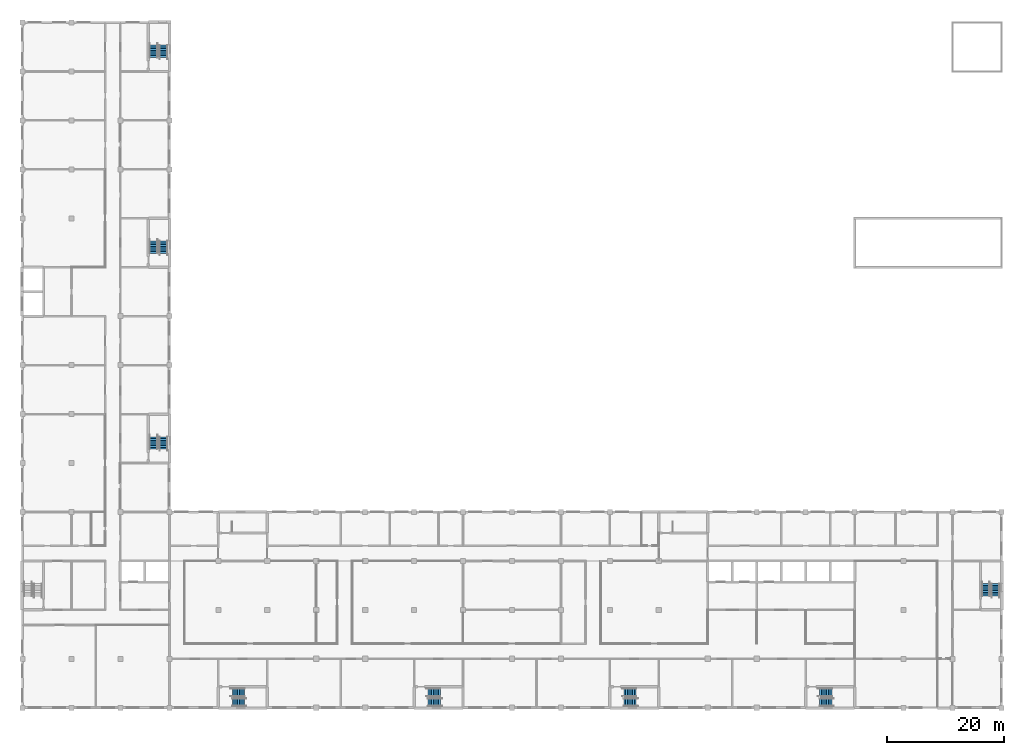
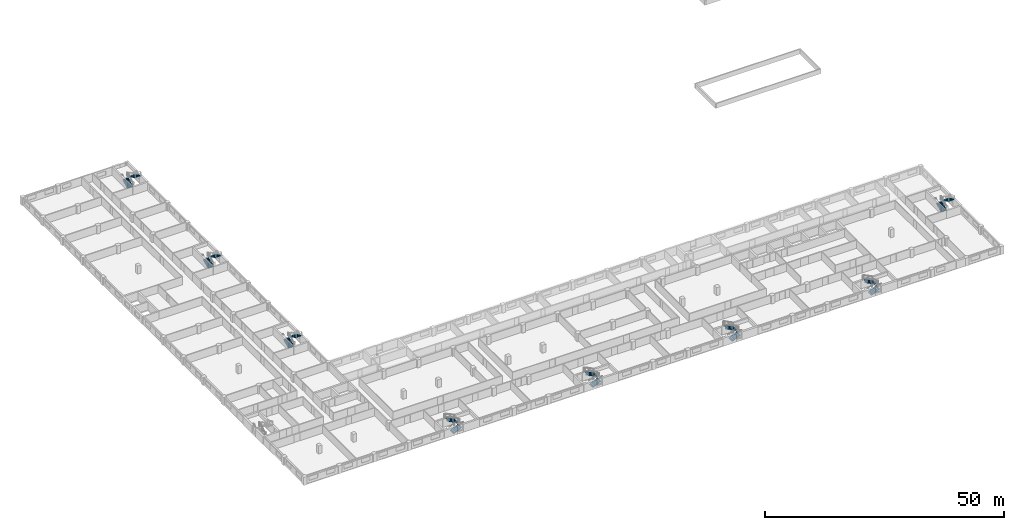
# One storey, part 42 of 48: 16 stair flights, 8 elements without a shape of their own.
"""IFC4 building model written with IfcOpenShell, lengths in metres."""

from ifc_helpers import new_model, si_unit, direction, frame, origin, place, context, subcontext, project, spatial, polyline, outline, extrude, material, type_object, element, aggregate, save


model = new_model("IFC4")

# Units and contexts
model_context = context("Model", 3, precision=1e-05, world=origin(), true_north=direction((0.0, 1.0)))
body_context = subcontext(model_context, "Body", "Model", "MODEL_VIEW")
ifc_project = project(units=[si_unit("LENGTHUNIT", "METRE"), si_unit("AREAUNIT", "SQUARE_METRE"), si_unit("VOLUMEUNIT", "CUBIC_METRE"), si_unit("PLANEANGLEUNIT", "RADIAN"), si_unit("MASSUNIT", "GRAM", prefix="KILO")], contexts=[model_context])

# Site, building, storey
site_placement = place(None, origin())
site = spatial("IfcSite", under=ifc_project, at=site_placement, CompositionType="ELEMENT")
building_placement = place(site_placement, origin())
building = spatial("IfcBuilding", under=site, at=building_placement, Name="Yavir Park General Hospital", CompositionType="ELEMENT")
storey_placement = place(building_placement, frame((0.0, 0.0, 12.89990234375)))
storey = spatial("IfcBuildingStorey", under=building, at=storey_placement, Name="I02", CompositionType="ELEMENT", Elevation=12.89990234375)

# Stair, stair flights
ifc_material_1 = material(Name="Concrete C30/37", Category="concrete")
stair_type = type_object("IfcStairType", Name="Patient escape stair, 16 risers of 150 mm, 1400 mm flights", PredefinedType="HALF_TURN_STAIR", material=ifc_material_1)
stair_1_placement = place(storey_placement, origin())
stair_1 = element("IfcStair", 1, at=stair_1_placement, inside=storey, type_object=stair_type, Name="Stair SU2, I02 to L03", PredefinedType="HALF_TURN_STAIR")
ifc_material_2 = material(Name="Concrete C30/37", Category="concrete")
stair_flight_type = type_object("IfcStairFlightType", Name="Patient escape stair flight, 8 risers, 1400 mm wide", PredefinedType="STRAIGHT", material=ifc_material_2)
stair_flight_1_placement = place(storey_placement, frame((36.0, 0.949951171875, 0.0), z_axis=(0.0, 0.0, 1.0), x_axis=(1.0, 0.0, 0.0)))
stair_flight_1 = element("IfcStairFlight", 2, at=stair_flight_1_placement, type_object=stair_flight_type, Name="SU2 flight 1", NumberOfRisers=8, NumberOfTreads=7, PredefinedType="STRAIGHT", RiserHeight=0.15, TreadLength=0.3, context=body_context, shape_type="SweptSolid", body=[
    extrude(outline(polyline([(0.0, 0.0), (0.0, 0.021484375), (0.0, 0.04296875), (0.0, 0.064208984375), (0.0, 0.085693359375), (0.0, 0.107177734375), (0.0, 0.128662109375), (0.0, 0.14990234375), (0.300048828125, 0.14990234375), (0.300048828125, 0.300048828125), (0.60009765625, 0.300048828125), (0.60009765625, 0.449951171875), (0.89990234375, 0.449951171875), (0.89990234375, 0.60009765625), (1.199951171875, 0.60009765625), (1.199951171875, 0.75), (1.5, 0.75), (1.5, 0.89990234375), (1.800048828125, 0.89990234375), (1.800048828125, 1.050048828125), (2.10009765625, 1.050048828125), (2.10009765625, 1.199951171875), (2.10009765625, 1.153076171875), (2.10009765625, 1.10595703125), (2.10009765625, 1.05908203125), (2.10009765625, 1.01220703125), (2.10009765625, 0.965087890625), (2.10009765625, 0.918212890625), (2.10009765625, 0.87109375), (0.357666015625, 0.0), (0.0, 0.0)])), frame((0.0, 0.699951171875, 0.0), z_axis=(0.0, -1.0, 0.0), x_axis=(1.0, 0.0, 0.0)), (0.0, 0.0, 1.0), 1.39990234375),
])
stair_flight_2_placement = place(storey_placement, frame((38.10009765625, 2.64990234375, 1.2001953125), z_axis=(0.0, 0.0, 1.0), x_axis=(-1.0, 0.0, 0.0)))
stair_flight_2 = element("IfcStairFlight", 3, at=stair_flight_2_placement, type_object=stair_flight_type, Name="SU2 flight 2", NumberOfRisers=8, NumberOfTreads=7, PredefinedType="STRAIGHT", RiserHeight=0.15, TreadLength=0.3, context=body_context, shape_type="SweptSolid", body=[
    extrude(outline(polyline([(0.0, 0.0), (0.0, 0.021484375), (0.0, 0.04296875), (0.0, 0.064208984375), (0.0, 0.085693359375), (0.0, 0.107177734375), (0.0, 0.128662109375), (0.0, 0.14990234375), (0.300048828125, 0.14990234375), (0.300048828125, 0.300048828125), (0.60009765625, 0.300048828125), (0.60009765625, 0.449951171875), (0.89990234375, 0.449951171875), (0.89990234375, 0.60009765625), (1.199951171875, 0.60009765625), (1.199951171875, 0.75), (1.5, 0.75), (1.5, 0.89990234375), (1.800048828125, 0.89990234375), (1.800048828125, 1.050048828125), (2.10009765625, 1.050048828125), (2.10009765625, 1.199951171875), (2.10009765625, 1.153076171875), (2.10009765625, 1.10595703125), (2.10009765625, 1.05908203125), (2.10009765625, 1.01220703125), (2.10009765625, 0.965087890625), (2.10009765625, 0.918212890625), (2.10009765625, 0.87109375), (0.357666015625, 0.0), (0.0, 0.0)])), frame((0.0, 0.699951171875, 0.0), z_axis=(0.0, -1.0, 0.0), x_axis=(1.0, 0.0, 0.0)), (0.0, 0.0, 1.0), 1.39990234375),
])
aggregate(stair_1, [stair_flight_1, stair_flight_2])

stair_2_placement = place(storey_placement, origin())
stair_2 = element("IfcStair", 4, at=stair_2_placement, inside=storey, type_object=stair_type, Name="Stair SU3, I02 to L03", PredefinedType="HALF_TURN_STAIR")
stair_flight_3_placement = place(storey_placement, frame((69.60009765625, 0.949951171875, 0.0), z_axis=(0.0, 0.0, 1.0), x_axis=(1.0, 0.0, 0.0)))
stair_flight_3 = element("IfcStairFlight", 5, at=stair_flight_3_placement, type_object=stair_flight_type, Name="SU3 flight 1", NumberOfRisers=8, NumberOfTreads=7, PredefinedType="STRAIGHT", RiserHeight=0.15, TreadLength=0.3, context=body_context, shape_type="SweptSolid", body=[
    extrude(outline(polyline([(0.0, 0.0), (0.0, 0.021484375), (0.0, 0.04296875), (0.0, 0.064208984375), (0.0, 0.085693359375), (0.0, 0.107177734375), (0.0, 0.128662109375), (0.0, 0.14990234375), (0.300048828125, 0.14990234375), (0.300048828125, 0.300048828125), (0.60009765625, 0.300048828125), (0.60009765625, 0.449951171875), (0.89990234375, 0.449951171875), (0.89990234375, 0.60009765625), (1.199951171875, 0.60009765625), (1.199951171875, 0.75), (1.5, 0.75), (1.5, 0.89990234375), (1.800048828125, 0.89990234375), (1.800048828125, 1.050048828125), (2.10009765625, 1.050048828125), (2.10009765625, 1.199951171875), (2.10009765625, 1.153076171875), (2.10009765625, 1.10595703125), (2.10009765625, 1.05908203125), (2.10009765625, 1.01220703125), (2.10009765625, 0.965087890625), (2.10009765625, 0.918212890625), (2.10009765625, 0.87109375), (0.357666015625, 0.0), (0.0, 0.0)])), frame((0.0, 0.699951171875, 0.0), z_axis=(0.0, -1.0, 0.0), x_axis=(1.0, 0.0, 0.0)), (0.0, 0.0, 1.0), 1.39990234375),
])
stair_flight_4_placement = place(storey_placement, frame((71.699951171875, 2.64990234375, 1.2001953125), z_axis=(0.0, 0.0, 1.0), x_axis=(-1.0, 0.0, 0.0)))
stair_flight_4 = element("IfcStairFlight", 6, at=stair_flight_4_placement, type_object=stair_flight_type, Name="SU3 flight 2", NumberOfRisers=8, NumberOfTreads=7, PredefinedType="STRAIGHT", RiserHeight=0.15, TreadLength=0.3, context=body_context, shape_type="SweptSolid", body=[
    extrude(outline(polyline([(0.0, 0.0), (0.0, 0.021484375), (0.0, 0.04296875), (0.0, 0.064208984375), (0.0, 0.085693359375), (0.0, 0.107177734375), (0.0, 0.128662109375), (0.0, 0.14990234375), (0.300048828125, 0.14990234375), (0.300048828125, 0.300048828125), (0.60009765625, 0.300048828125), (0.60009765625, 0.449951171875), (0.89990234375, 0.449951171875), (0.89990234375, 0.60009765625), (1.199951171875, 0.60009765625), (1.199951171875, 0.75), (1.5, 0.75), (1.5, 0.89990234375), (1.800048828125, 0.89990234375), (1.800048828125, 1.050048828125), (2.10009765625, 1.050048828125), (2.10009765625, 1.199951171875), (2.10009765625, 1.153076171875), (2.10009765625, 1.10595703125), (2.10009765625, 1.05908203125), (2.10009765625, 1.01220703125), (2.10009765625, 0.965087890625), (2.10009765625, 0.918212890625), (2.10009765625, 0.87109375), (0.357666015625, 0.0), (0.0, 0.0)])), frame((0.0, 0.699951171875, 0.0), z_axis=(0.0, -1.0, 0.0), x_axis=(1.0, 0.0, 0.0)), (0.0, 0.0, 1.0), 1.39990234375),
])
aggregate(stair_2, [stair_flight_3, stair_flight_4])

stair_3_placement = place(storey_placement, origin())
stair_3 = element("IfcStair", 7, at=stair_3_placement, inside=storey, type_object=stair_type, Name="Stair SU4, I02 to L03", PredefinedType="HALF_TURN_STAIR")
stair_flight_5_placement = place(storey_placement, frame((103.199951171875, 0.949951171875, 0.0), z_axis=(0.0, 0.0, 1.0), x_axis=(1.0, 0.0, 0.0)))
stair_flight_5 = element("IfcStairFlight", 8, at=stair_flight_5_placement, type_object=stair_flight_type, Name="SU4 flight 1", NumberOfRisers=8, NumberOfTreads=7, PredefinedType="STRAIGHT", RiserHeight=0.15, TreadLength=0.3, context=body_context, shape_type="SweptSolid", body=[
    extrude(outline(polyline([(0.0, 0.0), (0.0, 0.021484375), (0.0, 0.04296875), (0.0, 0.064208984375), (0.0, 0.085693359375), (0.0, 0.107177734375), (0.0, 0.128662109375), (0.0, 0.14990234375), (0.300048828125, 0.14990234375), (0.300048828125, 0.300048828125), (0.60009765625, 0.300048828125), (0.60009765625, 0.449951171875), (0.89990234375, 0.449951171875), (0.89990234375, 0.60009765625), (1.199951171875, 0.60009765625), (1.199951171875, 0.75), (1.5, 0.75), (1.5, 0.89990234375), (1.800048828125, 0.89990234375), (1.800048828125, 1.050048828125), (2.10009765625, 1.050048828125), (2.10009765625, 1.199951171875), (2.10009765625, 1.153076171875), (2.10009765625, 1.10595703125), (2.10009765625, 1.05908203125), (2.10009765625, 1.01220703125), (2.10009765625, 0.965087890625), (2.10009765625, 0.918212890625), (2.10009765625, 0.87109375), (0.357666015625, 0.0), (0.0, 0.0)])), frame((0.0, 0.699951171875, 0.0), z_axis=(0.0, -1.0, 0.0), x_axis=(1.0, 0.0, 0.0)), (0.0, 0.0, 1.0), 1.39990234375),
])
stair_flight_6_placement = place(storey_placement, frame((105.300048828125, 2.64990234375, 1.2001953125), z_axis=(0.0, 0.0, 1.0), x_axis=(-1.0, 0.0, 0.0)))
stair_flight_6 = element("IfcStairFlight", 9, at=stair_flight_6_placement, type_object=stair_flight_type, Name="SU4 flight 2", NumberOfRisers=8, NumberOfTreads=7, PredefinedType="STRAIGHT", RiserHeight=0.15, TreadLength=0.3, context=body_context, shape_type="SweptSolid", body=[
    extrude(outline(polyline([(0.0, 0.0), (0.0, 0.021484375), (0.0, 0.04296875), (0.0, 0.064208984375), (0.0, 0.085693359375), (0.0, 0.107177734375), (0.0, 0.128662109375), (0.0, 0.14990234375), (0.300048828125, 0.14990234375), (0.300048828125, 0.300048828125), (0.60009765625, 0.300048828125), (0.60009765625, 0.449951171875), (0.89990234375, 0.449951171875), (0.89990234375, 0.60009765625), (1.199951171875, 0.60009765625), (1.199951171875, 0.75), (1.5, 0.75), (1.5, 0.89990234375), (1.800048828125, 0.89990234375), (1.800048828125, 1.050048828125), (2.10009765625, 1.050048828125), (2.10009765625, 1.199951171875), (2.10009765625, 1.153076171875), (2.10009765625, 1.10595703125), (2.10009765625, 1.05908203125), (2.10009765625, 1.01220703125), (2.10009765625, 0.965087890625), (2.10009765625, 0.918212890625), (2.10009765625, 0.87109375), (0.357666015625, 0.0), (0.0, 0.0)])), frame((0.0, 0.699951171875, 0.0), z_axis=(0.0, -1.0, 0.0), x_axis=(1.0, 0.0, 0.0)), (0.0, 0.0, 1.0), 1.39990234375),
])
aggregate(stair_3, [stair_flight_5, stair_flight_6])

stair_4_placement = place(storey_placement, origin())
stair_4 = element("IfcStair", 10, at=stair_4_placement, inside=storey, type_object=stair_type, Name="Stair SU5, I02 to L03", PredefinedType="HALF_TURN_STAIR")
stair_flight_7_placement = place(storey_placement, frame((136.800048828125, 0.949951171875, 0.0), z_axis=(0.0, 0.0, 1.0), x_axis=(1.0, 0.0, 0.0)))
stair_flight_7 = element("IfcStairFlight", 11, at=stair_flight_7_placement, type_object=stair_flight_type, Name="SU5 flight 1", NumberOfRisers=8, NumberOfTreads=7, PredefinedType="STRAIGHT", RiserHeight=0.15, TreadLength=0.3, context=body_context, shape_type="SweptSolid", body=[
    extrude(outline(polyline([(0.0, 0.0), (0.0, 0.021484375), (0.0, 0.04296875), (0.0, 0.064208984375), (0.0, 0.085693359375), (0.0, 0.107177734375), (0.0, 0.128662109375), (0.0, 0.14990234375), (0.300048828125, 0.14990234375), (0.300048828125, 0.300048828125), (0.60009765625, 0.300048828125), (0.60009765625, 0.449951171875), (0.89990234375, 0.449951171875), (0.89990234375, 0.60009765625), (1.199951171875, 0.60009765625), (1.199951171875, 0.75), (1.5, 0.75), (1.5, 0.89990234375), (1.800048828125, 0.89990234375), (1.800048828125, 1.050048828125), (2.10009765625, 1.050048828125), (2.10009765625, 1.199951171875), (2.10009765625, 1.153076171875), (2.10009765625, 1.10595703125), (2.10009765625, 1.05908203125), (2.10009765625, 1.01220703125), (2.10009765625, 0.965087890625), (2.10009765625, 0.918212890625), (2.10009765625, 0.87109375), (0.357666015625, 0.0), (0.0, 0.0)])), frame((0.0, 0.699951171875, 0.0), z_axis=(0.0, -1.0, 0.0), x_axis=(1.0, 0.0, 0.0)), (0.0, 0.0, 1.0), 1.39990234375),
])
stair_flight_8_placement = place(storey_placement, frame((138.89990234375, 2.64990234375, 1.2001953125), z_axis=(0.0, 0.0, 1.0), x_axis=(-1.0, 0.0, 0.0)))
stair_flight_8 = element("IfcStairFlight", 12, at=stair_flight_8_placement, type_object=stair_flight_type, Name="SU5 flight 2", NumberOfRisers=8, NumberOfTreads=7, PredefinedType="STRAIGHT", RiserHeight=0.15, TreadLength=0.3, context=body_context, shape_type="SweptSolid", body=[
    extrude(outline(polyline([(0.0, 0.0), (0.0, 0.021484375), (0.0, 0.04296875), (0.0, 0.064208984375), (0.0, 0.085693359375), (0.0, 0.107177734375), (0.0, 0.128662109375), (0.0, 0.14990234375), (0.300048828125, 0.14990234375), (0.300048828125, 0.300048828125), (0.60009765625, 0.300048828125), (0.60009765625, 0.449951171875), (0.89990234375, 0.449951171875), (0.89990234375, 0.60009765625), (1.199951171875, 0.60009765625), (1.199951171875, 0.75), (1.5, 0.75), (1.5, 0.89990234375), (1.800048828125, 0.89990234375), (1.800048828125, 1.050048828125), (2.10009765625, 1.050048828125), (2.10009765625, 1.199951171875), (2.10009765625, 1.153076171875), (2.10009765625, 1.10595703125), (2.10009765625, 1.05908203125), (2.10009765625, 1.01220703125), (2.10009765625, 0.965087890625), (2.10009765625, 0.918212890625), (2.10009765625, 0.87109375), (0.357666015625, 0.0), (0.0, 0.0)])), frame((0.0, 0.699951171875, 0.0), z_axis=(0.0, -1.0, 0.0), x_axis=(1.0, 0.0, 0.0)), (0.0, 0.0, 1.0), 1.39990234375),
])
aggregate(stair_4, [stair_flight_7, stair_flight_8])

stair_5_placement = place(storey_placement, origin())
stair_5 = element("IfcStair", 13, at=stair_5_placement, inside=storey, type_object=stair_type, Name="Stair SU6, I02 to L03", PredefinedType="HALF_TURN_STAIR")
stair_flight_9_placement = place(storey_placement, frame((165.300048828125, 19.199951171875, 0.0), z_axis=(0.0, 0.0, 1.0), x_axis=(0.0, 1.0, 0.0)))
stair_flight_9 = element("IfcStairFlight", 14, at=stair_flight_9_placement, type_object=stair_flight_type, Name="SU6 flight 1", NumberOfRisers=8, NumberOfTreads=7, PredefinedType="STRAIGHT", RiserHeight=0.15, TreadLength=0.3, context=body_context, shape_type="SweptSolid", body=[
    extrude(outline(polyline([(0.0, 0.0), (0.0, 0.021484375), (0.0, 0.04296875), (0.0, 0.064208984375), (0.0, 0.085693359375), (0.0, 0.107177734375), (0.0, 0.128662109375), (0.0, 0.14990234375), (0.300048828125, 0.14990234375), (0.300048828125, 0.300048828125), (0.60009765625, 0.300048828125), (0.60009765625, 0.449951171875), (0.89990234375, 0.449951171875), (0.89990234375, 0.60009765625), (1.199951171875, 0.60009765625), (1.199951171875, 0.75), (1.5, 0.75), (1.5, 0.89990234375), (1.800048828125, 0.89990234375), (1.800048828125, 1.050048828125), (2.10009765625, 1.050048828125), (2.10009765625, 1.199951171875), (2.10009765625, 1.153076171875), (2.10009765625, 1.10595703125), (2.10009765625, 1.05908203125), (2.10009765625, 1.01220703125), (2.10009765625, 0.965087890625), (2.10009765625, 0.918212890625), (2.10009765625, 0.87109375), (0.357666015625, 0.0), (0.0, 0.0)])), frame((0.0, 0.699951171875, 0.0), z_axis=(0.0, -1.0, 0.0), x_axis=(1.0, 0.0, 0.0)), (0.0, 0.0, 1.0), 1.39990234375),
])
stair_flight_10_placement = place(storey_placement, frame((167.0, 21.300048828125, 1.2001953125), z_axis=(0.0, 0.0, 1.0), x_axis=(0.0, -1.0, 0.0)))
stair_flight_10 = element("IfcStairFlight", 15, at=stair_flight_10_placement, type_object=stair_flight_type, Name="SU6 flight 2", NumberOfRisers=8, NumberOfTreads=7, PredefinedType="STRAIGHT", RiserHeight=0.15, TreadLength=0.3, context=body_context, shape_type="SweptSolid", body=[
    extrude(outline(polyline([(0.0, 0.0), (0.0, 0.021484375), (0.0, 0.04296875), (0.0, 0.064208984375), (0.0, 0.085693359375), (0.0, 0.107177734375), (0.0, 0.128662109375), (0.0, 0.14990234375), (0.300048828125, 0.14990234375), (0.300048828125, 0.300048828125), (0.60009765625, 0.300048828125), (0.60009765625, 0.449951171875), (0.89990234375, 0.449951171875), (0.89990234375, 0.60009765625), (1.199951171875, 0.60009765625), (1.199951171875, 0.75), (1.5, 0.75), (1.5, 0.89990234375), (1.800048828125, 0.89990234375), (1.800048828125, 1.050048828125), (2.10009765625, 1.050048828125), (2.10009765625, 1.199951171875), (2.10009765625, 1.153076171875), (2.10009765625, 1.10595703125), (2.10009765625, 1.05908203125), (2.10009765625, 1.01220703125), (2.10009765625, 0.965087890625), (2.10009765625, 0.918212890625), (2.10009765625, 0.87109375), (0.357666015625, 0.0), (0.0, 0.0)])), frame((0.0, 0.699951171875, 0.0), z_axis=(0.0, -1.0, 0.0), x_axis=(1.0, 0.0, 0.0)), (0.0, 0.0, 1.0), 1.39990234375),
])
aggregate(stair_5, [stair_flight_9, stair_flight_10])

stair_6_placement = place(storey_placement, origin())
stair_6 = element("IfcStair", 16, at=stair_6_placement, inside=storey, type_object=stair_type, Name="Stair SW1, I02 to L03", PredefinedType="HALF_TURN_STAIR")
stair_flight_11_placement = place(storey_placement, frame((22.5, 44.39990234375, 0.0), z_axis=(0.0, 0.0, 1.0), x_axis=(0.0, 1.0, 0.0)))
stair_flight_11 = element("IfcStairFlight", 17, at=stair_flight_11_placement, type_object=stair_flight_type, Name="SW1 flight 1", NumberOfRisers=8, NumberOfTreads=7, PredefinedType="STRAIGHT", RiserHeight=0.15, TreadLength=0.3, context=body_context, shape_type="SweptSolid", body=[
    extrude(outline(polyline([(0.0, 0.0), (0.0, 0.021484375), (0.0, 0.04296875), (0.0, 0.064208984375), (0.0, 0.085693359375), (0.0, 0.107177734375), (0.0, 0.128662109375), (0.0, 0.14990234375), (0.300048828125, 0.14990234375), (0.300048828125, 0.300048828125), (0.60009765625, 0.300048828125), (0.60009765625, 0.449951171875), (0.89990234375, 0.449951171875), (0.89990234375, 0.60009765625), (1.199951171875, 0.60009765625), (1.199951171875, 0.75), (1.5, 0.75), (1.5, 0.89990234375), (1.800048828125, 0.89990234375), (1.800048828125, 1.050048828125), (2.10009765625, 1.050048828125), (2.10009765625, 1.199951171875), (2.10009765625, 1.153076171875), (2.10009765625, 1.10595703125), (2.10009765625, 1.05908203125), (2.10009765625, 1.01220703125), (2.10009765625, 0.965087890625), (2.10009765625, 0.918212890625), (2.10009765625, 0.87109375), (0.357666015625, 0.0), (0.0, 0.0)])), frame((0.0, 0.699951171875, 0.0), z_axis=(0.0, -1.0, 0.0), x_axis=(1.0, 0.0, 0.0)), (0.0, 0.0, 1.0), 1.39990234375),
])
stair_flight_12_placement = place(storey_placement, frame((24.199951171875, 46.5, 1.2001953125), z_axis=(0.0, 0.0, 1.0), x_axis=(0.0, -1.0, 0.0)))
stair_flight_12 = element("IfcStairFlight", 18, at=stair_flight_12_placement, type_object=stair_flight_type, Name="SW1 flight 2", NumberOfRisers=8, NumberOfTreads=7, PredefinedType="STRAIGHT", RiserHeight=0.15, TreadLength=0.3, context=body_context, shape_type="SweptSolid", body=[
    extrude(outline(polyline([(0.0, 0.0), (0.0, 0.021484375), (0.0, 0.04296875), (0.0, 0.064208984375), (0.0, 0.085693359375), (0.0, 0.107177734375), (0.0, 0.128662109375), (0.0, 0.14990234375), (0.300048828125, 0.14990234375), (0.300048828125, 0.300048828125), (0.60009765625, 0.300048828125), (0.60009765625, 0.449951171875), (0.89990234375, 0.449951171875), (0.89990234375, 0.60009765625), (1.199951171875, 0.60009765625), (1.199951171875, 0.75), (1.5, 0.75), (1.5, 0.89990234375), (1.800048828125, 0.89990234375), (1.800048828125, 1.050048828125), (2.10009765625, 1.050048828125), (2.10009765625, 1.199951171875), (2.10009765625, 1.153076171875), (2.10009765625, 1.10595703125), (2.10009765625, 1.05908203125), (2.10009765625, 1.01220703125), (2.10009765625, 0.965087890625), (2.10009765625, 0.918212890625), (2.10009765625, 0.87109375), (0.357666015625, 0.0), (0.0, 0.0)])), frame((0.0, 0.699951171875, 0.0), z_axis=(0.0, -1.0, 0.0), x_axis=(1.0, 0.0, 0.0)), (0.0, 0.0, 1.0), 1.39990234375),
])
aggregate(stair_6, [stair_flight_11, stair_flight_12])

stair_7_placement = place(storey_placement, origin())
stair_7 = element("IfcStair", 19, at=stair_7_placement, inside=storey, type_object=stair_type, Name="Stair SW2, I02 to L03", PredefinedType="HALF_TURN_STAIR")
stair_flight_13_placement = place(storey_placement, frame((22.5, 78.0, 0.0), z_axis=(0.0, 0.0, 1.0), x_axis=(0.0, 1.0, 0.0)))
stair_flight_13 = element("IfcStairFlight", 20, at=stair_flight_13_placement, type_object=stair_flight_type, Name="SW2 flight 1", NumberOfRisers=8, NumberOfTreads=7, PredefinedType="STRAIGHT", RiserHeight=0.15, TreadLength=0.3, context=body_context, shape_type="SweptSolid", body=[
    extrude(outline(polyline([(0.0, 0.0), (0.0, 0.021484375), (0.0, 0.04296875), (0.0, 0.064208984375), (0.0, 0.085693359375), (0.0, 0.107177734375), (0.0, 0.128662109375), (0.0, 0.14990234375), (0.300048828125, 0.14990234375), (0.300048828125, 0.300048828125), (0.60009765625, 0.300048828125), (0.60009765625, 0.449951171875), (0.89990234375, 0.449951171875), (0.89990234375, 0.60009765625), (1.199951171875, 0.60009765625), (1.199951171875, 0.75), (1.5, 0.75), (1.5, 0.89990234375), (1.800048828125, 0.89990234375), (1.800048828125, 1.050048828125), (2.10009765625, 1.050048828125), (2.10009765625, 1.199951171875), (2.10009765625, 1.153076171875), (2.10009765625, 1.10595703125), (2.10009765625, 1.05908203125), (2.10009765625, 1.01220703125), (2.10009765625, 0.965087890625), (2.10009765625, 0.918212890625), (2.10009765625, 0.87109375), (0.357666015625, 0.0), (0.0, 0.0)])), frame((0.0, 0.699951171875, 0.0), z_axis=(0.0, -1.0, 0.0), x_axis=(1.0, 0.0, 0.0)), (0.0, 0.0, 1.0), 1.39990234375),
])
stair_flight_14_placement = place(storey_placement, frame((24.199951171875, 80.10009765625, 1.2001953125), z_axis=(0.0, 0.0, 1.0), x_axis=(0.0, -1.0, 0.0)))
stair_flight_14 = element("IfcStairFlight", 21, at=stair_flight_14_placement, type_object=stair_flight_type, Name="SW2 flight 2", NumberOfRisers=8, NumberOfTreads=7, PredefinedType="STRAIGHT", RiserHeight=0.15, TreadLength=0.3, context=body_context, shape_type="SweptSolid", body=[
    extrude(outline(polyline([(0.0, 0.0), (0.0, 0.021484375), (0.0, 0.04296875), (0.0, 0.064208984375), (0.0, 0.085693359375), (0.0, 0.107177734375), (0.0, 0.128662109375), (0.0, 0.14990234375), (0.300048828125, 0.14990234375), (0.300048828125, 0.300048828125), (0.60009765625, 0.300048828125), (0.60009765625, 0.449951171875), (0.89990234375, 0.449951171875), (0.89990234375, 0.60009765625), (1.199951171875, 0.60009765625), (1.199951171875, 0.75), (1.5, 0.75), (1.5, 0.89990234375), (1.800048828125, 0.89990234375), (1.800048828125, 1.050048828125), (2.10009765625, 1.050048828125), (2.10009765625, 1.199951171875), (2.10009765625, 1.153076171875), (2.10009765625, 1.10595703125), (2.10009765625, 1.05908203125), (2.10009765625, 1.01220703125), (2.10009765625, 0.965087890625), (2.10009765625, 0.918212890625), (2.10009765625, 0.87109375), (0.357666015625, 0.0), (0.0, 0.0)])), frame((0.0, 0.699951171875, 0.0), z_axis=(0.0, -1.0, 0.0), x_axis=(1.0, 0.0, 0.0)), (0.0, 0.0, 1.0), 1.39990234375),
])
aggregate(stair_7, [stair_flight_13, stair_flight_14])

stair_8_placement = place(storey_placement, origin())
stair_8 = element("IfcStair", 22, at=stair_8_placement, inside=storey, type_object=stair_type, Name="Stair SW3, I02 to L03", PredefinedType="HALF_TURN_STAIR")
stair_flight_15_placement = place(storey_placement, frame((22.5, 111.60009765625, 0.0), z_axis=(0.0, 0.0, 1.0), x_axis=(0.0, 1.0, 0.0)))
stair_flight_15 = element("IfcStairFlight", 23, at=stair_flight_15_placement, type_object=stair_flight_type, Name="SW3 flight 1", NumberOfRisers=8, NumberOfTreads=7, PredefinedType="STRAIGHT", RiserHeight=0.15, TreadLength=0.3, context=body_context, shape_type="SweptSolid", body=[
    extrude(outline(polyline([(0.0, 0.0), (0.0, 0.021484375), (0.0, 0.04296875), (0.0, 0.064208984375), (0.0, 0.085693359375), (0.0, 0.107177734375), (0.0, 0.128662109375), (0.0, 0.14990234375), (0.300048828125, 0.14990234375), (0.300048828125, 0.300048828125), (0.60009765625, 0.300048828125), (0.60009765625, 0.449951171875), (0.89990234375, 0.449951171875), (0.89990234375, 0.60009765625), (1.199951171875, 0.60009765625), (1.199951171875, 0.75), (1.5, 0.75), (1.5, 0.89990234375), (1.800048828125, 0.89990234375), (1.800048828125, 1.050048828125), (2.10009765625, 1.050048828125), (2.10009765625, 1.199951171875), (2.10009765625, 1.153076171875), (2.10009765625, 1.10595703125), (2.10009765625, 1.05908203125), (2.10009765625, 1.01220703125), (2.10009765625, 0.965087890625), (2.10009765625, 0.918212890625), (2.10009765625, 0.87109375), (0.357666015625, 0.0), (0.0, 0.0)])), frame((0.0, 0.699951171875, 0.0), z_axis=(0.0, -1.0, 0.0), x_axis=(1.0, 0.0, 0.0)), (0.0, 0.0, 1.0), 1.39990234375),
])
stair_flight_16_placement = place(storey_placement, frame((24.199951171875, 113.699951171875, 1.2001953125), z_axis=(0.0, 0.0, 1.0), x_axis=(0.0, -1.0, 0.0)))
stair_flight_16 = element("IfcStairFlight", 24, at=stair_flight_16_placement, type_object=stair_flight_type, Name="SW3 flight 2", NumberOfRisers=8, NumberOfTreads=7, PredefinedType="STRAIGHT", RiserHeight=0.15, TreadLength=0.3, context=body_context, shape_type="SweptSolid", body=[
    extrude(outline(polyline([(0.0, 0.0), (0.0, 0.021484375), (0.0, 0.04296875), (0.0, 0.064208984375), (0.0, 0.085693359375), (0.0, 0.107177734375), (0.0, 0.128662109375), (0.0, 0.14990234375), (0.300048828125, 0.14990234375), (0.300048828125, 0.300048828125), (0.60009765625, 0.300048828125), (0.60009765625, 0.449951171875), (0.89990234375, 0.449951171875), (0.89990234375, 0.60009765625), (1.199951171875, 0.60009765625), (1.199951171875, 0.75), (1.5, 0.75), (1.5, 0.89990234375), (1.800048828125, 0.89990234375), (1.800048828125, 1.050048828125), (2.10009765625, 1.050048828125), (2.10009765625, 1.199951171875), (2.10009765625, 1.153076171875), (2.10009765625, 1.10595703125), (2.10009765625, 1.05908203125), (2.10009765625, 1.01220703125), (2.10009765625, 0.965087890625), (2.10009765625, 0.918212890625), (2.10009765625, 0.87109375), (0.357666015625, 0.0), (0.0, 0.0)])), frame((0.0, 0.699951171875, 0.0), z_axis=(0.0, -1.0, 0.0), x_axis=(1.0, 0.0, 0.0)), (0.0, 0.0, 1.0), 1.39990234375),
])
aggregate(stair_8, [stair_flight_15, stair_flight_16])

save(model, "model.ifc")
